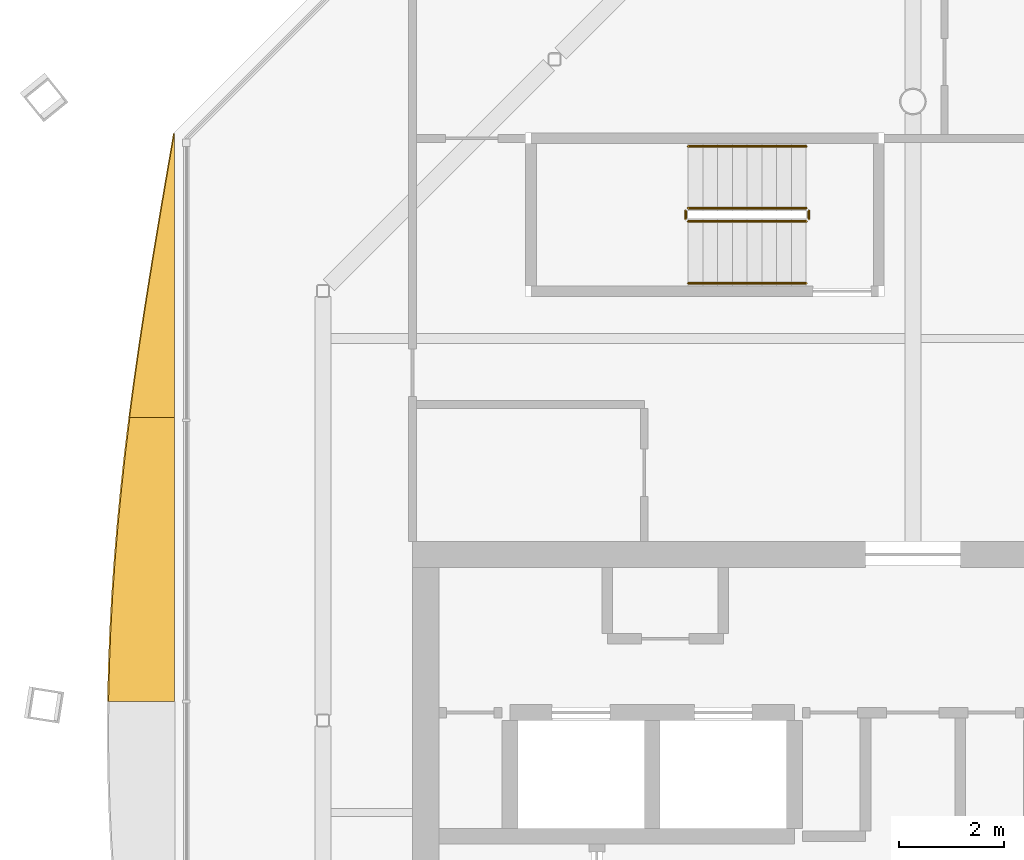
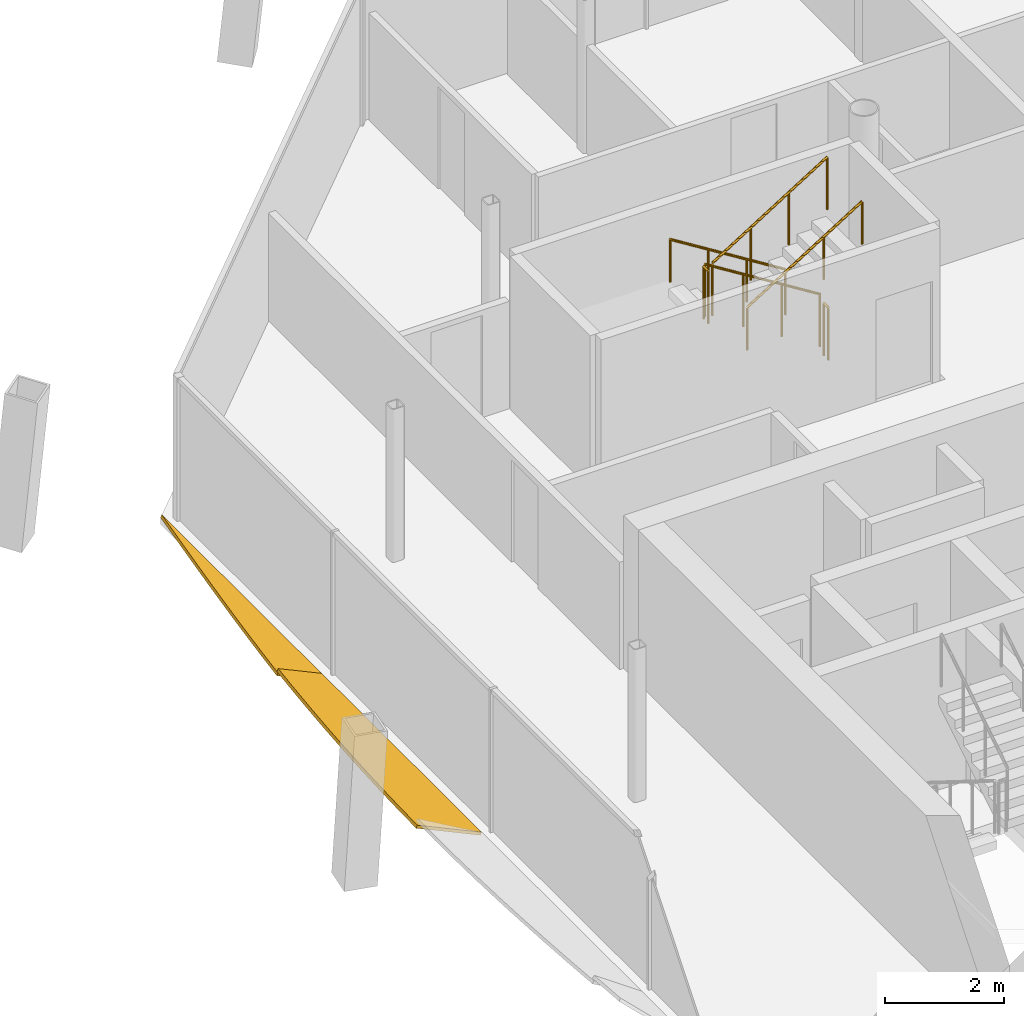
# One storey, part 15 of 16: 6 railings, 2 shading devices.
"""IFC4 building model written with IfcOpenShell, lengths in metres."""

from ifc_helpers import new_model, si_unit, direction, frame, origin, origin_2d, place, context, subcontext, project, spatial, polyline, circle, outline, extrude, material, layer, layer_set, type_object, element, save


model = new_model("IFC4")

# Units and contexts
model_context = context("Model", 3, precision=1e-05, world=origin(), true_north=direction((0.0, 1.0)))
body_context = subcontext(model_context, "Body", "Model", "MODEL_VIEW")
ifc_project = project(units=[si_unit("LENGTHUNIT", "METRE"), si_unit("AREAUNIT", "SQUARE_METRE"), si_unit("VOLUMEUNIT", "CUBIC_METRE"), si_unit("PLANEANGLEUNIT", "RADIAN"), si_unit("MASSUNIT", "GRAM", prefix="KILO")], contexts=[model_context])

# Site, building, storey
site_placement = place(None, origin())
site = spatial("IfcSite", under=ifc_project, at=site_placement, CompositionType="ELEMENT")
building_placement = place(site_placement, origin())
building = spatial("IfcBuilding", under=site, at=building_placement, Name="Tskaro Facet Tower", CompositionType="ELEMENT")
storey_placement = place(building_placement, frame((0.0, 0.0, 265.800048828125)))
storey = spatial("IfcBuildingStorey", under=building, at=storey_placement, Name="L70", CompositionType="ELEMENT", Elevation=265.800048828125)

# Shading devices
ifc_material_1 = material(Name="Bronze anodised aluminium 6063-T6", Category="aluminium")
ifc_layer = layer(ifc_material_1, 0.06005859375, Name="Bronze anodised aluminium 6063-T6")
ifc_layer_set = layer_set([ifc_layer], Name="Bronze anodised aluminium 6063-T6")
shading_device_type = type_object("IfcShadingDeviceType", Name="Bronze sun blade (FN1)", PredefinedType="USERDEFINED", material=ifc_layer_set)
shading_device_1_placement = place(storey_placement, frame((-14.0224609375, 8.39111328125, 0.056396484375), z_axis=(0.341981457809, -1.1142758e-05, 0.939706700195), x_axis=(-3.810617e-06, -0.999999999938, -1.0470924e-05)))
element("IfcShadingDevice", 1, at=shading_device_1_placement, inside=storey, type_object=shading_device_type, Name="Fin blade west 1", ObjectType="FIN", PredefinedType="USERDEFINED", context=body_context, shape_type="SweptSolid", body=[
    extrude(outline(polyline([(0.0, 0.0), (5.3913574215403015, -2.2833286833760638e-21), (5.391357422232141, -0.9025404393008304), (4.717529296772813, -0.8074681282207511), (4.043457031133472, -0.705366545781997), (3.3696289051726325, -0.5973203574427399), (2.695800781056291, -0.48401782494632917), (2.0217285151419606, -0.36685652589890644), (1.347900390540262, -0.24629530146270445), (0.6740722661650871, -0.12364823767701165), (0.0, 0.0)])), origin(), (0.0, 0.0, -1.0), 0.06005859375),
])
shading_device_2_placement = place(storey_placement, frame((-14.017578125, 2.999755859375, 0.054443359375), z_axis=(0.422517876087, 7.223958e-06, 0.906354590839), x_axis=(3.052251e-06, -0.999999999974, 6.547467e-06)))
element("IfcShadingDevice", 2, at=shading_device_2_placement, inside=storey, type_object=shading_device_type, Name="Fin blade west 2", ObjectType="FIN", PredefinedType="USERDEFINED", context=body_context, shape_type="SweptSolid", body=[
    extrude(outline(polyline([(0.0, 0.0), (5.391357421734324, 0.0), (5.3913574216255435, -1.3810297146549206), (4.7172851564996545, -1.363552032846081), (4.043457031326203, -1.3347176004663952), (3.369628906225373, -1.294305139539578), (2.6955566414254952, -1.2426390818202584), (2.0217285151958437, -1.1806045392135756), (1.347900390853608, -1.1081865412999334), (0.6738281240479023, -1.026491477960756), (-7.742808547463874e-10, -0.9357256567527314), (0.0, 0.0)])), origin(), (0.0, 0.0, -1.0), 0.06005859375),
])

# Railings
ifc_material_2 = material(Name="Stainless steel", Category="steel")
railing_type_1 = type_object("IfcRailingType", Name="RL-GUARD-1100", PredefinedType="GUARDRAIL", material=ifc_material_2)
railing_1_placement = place(storey_placement, frame((-2.02490234375, 6.97509765625, 0.175048828125)))
element("IfcRailing", 3, at=railing_1_placement, inside=storey, type_object=railing_type_1, Name="L70 ST-3 stair guard 1", PredefinedType="GUARDRAIL", context=body_context, shape_type="SweptSolid", body=[
    extrude(circle(Radius=0.02392578125, at=origin_2d()), frame((0.0, 0.0, 1.076171875), z_axis=(-0.848013881152, 0.0, 0.529974015752), x_axis=(0.0, -1.0, 0.0)), (0.0, 0.0, 1.0), 2.641357421875),
    extrude(circle(Radius=0.02099609375, at=origin_2d()), origin(), (0.0, 0.0, 1.0), 1.052001953125),
    extrude(circle(Radius=0.02099609375, at=origin_2d()), frame((-0.74658203125, 0.0, 0.466552734375)), (0.0, 0.0, 1.0), 1.052001953125),
    extrude(circle(Radius=0.02099609375, at=origin_2d()), frame((-1.493408203125, 0.0, 0.933349609375)), (0.0, 0.0, 1.0), 1.052001953125),
    extrude(circle(Radius=0.02099609375, at=origin_2d()), frame((-2.239990234375, 0.0, 1.39990234375)), (0.0, 0.0, 1.0), 1.052001953125),
])
railing_2_placement = place(storey_placement, frame((-4.31494140625, 6.925048828125, 1.574951171875)))
element("IfcRailing", 4, at=railing_2_placement, inside=storey, type_object=railing_type_1, Name="L70 ST-3 stair guard 2", PredefinedType="GUARDRAIL", context=body_context, shape_type="SweptSolid", body=[
    extrude(circle(Radius=0.02392578125, at=origin_2d()), frame((0.0, 0.0, 1.076171875), z_axis=(0.0, -1.0, 0.0), x_axis=(1.0, 0.0, 0.0)), (0.0, 0.0, 1.0), 0.150146484375),
    extrude(circle(Radius=0.02099609375, at=origin_2d()), origin(), (0.0, 0.0, 1.0), 1.052001953125),
    extrude(circle(Radius=0.02099609375, at=origin_2d()), frame((0.0, -0.150146484375, 0.0)), (0.0, 0.0, 1.0), 1.052001953125),
])
railing_3_placement = place(storey_placement, frame((-4.264892578125, 6.72509765625, 1.75)))
element("IfcRailing", 5, at=railing_3_placement, inside=storey, type_object=railing_type_1, Name="L70 ST-3 stair guard 3", PredefinedType="GUARDRAIL", context=body_context, shape_type="SweptSolid", body=[
    extrude(circle(Radius=0.02392578125, at=origin_2d()), frame((0.0, 0.0, 1.076171875), z_axis=(0.848013881152, 0.0, 0.529974015752), x_axis=(0.0, 1.0, 0.0)), (0.0, 0.0, 1.0), 2.641357421875),
    extrude(circle(Radius=0.02099609375, at=origin_2d()), origin(), (0.0, 0.0, 1.0), 1.052001953125),
    extrude(circle(Radius=0.02099609375, at=origin_2d()), frame((0.74658203125, 0.0, 0.466552734375)), (0.0, 0.0, 1.0), 1.052001953125),
    extrude(circle(Radius=0.02099609375, at=origin_2d()), frame((1.493408203125, 0.0, 0.933349609375)), (0.0, 0.0, 1.0), 1.052001953125),
    extrude(circle(Radius=0.02099609375, at=origin_2d()), frame((2.239990234375, 0.0, 1.39990234375)), (0.0, 0.0, 1.0), 1.052001953125),
])
railing_4_placement = place(storey_placement, frame((-1.97509765625, 6.925048828125, 0.0)))
element("IfcRailing", 6, at=railing_4_placement, inside=storey, type_object=railing_type_1, Name="L70 ST-3 stair guard 4", PredefinedType="GUARDRAIL", context=body_context, shape_type="SweptSolid", body=[
    extrude(circle(Radius=0.02392578125, at=origin_2d()), frame((0.0, 0.0, 1.076171875), z_axis=(0.0, -1.0, 0.0), x_axis=(1.0, 0.0, 0.0)), (0.0, 0.0, 1.0), 0.150146484375),
    extrude(circle(Radius=0.02099609375, at=origin_2d()), origin(), (0.0, 0.0, 1.0), 1.052001953125),
    extrude(circle(Radius=0.02099609375, at=origin_2d()), frame((0.0, -0.150146484375, 0.0)), (0.0, 0.0, 1.0), 1.052001953125),
])
railing_type_2 = type_object("IfcRailingType", Name="RL-HANDRAIL-900", PredefinedType="HANDRAIL", material=ifc_material_2)
railing_5_placement = place(storey_placement, frame((-2.02490234375, 8.14990234375, 0.175048828125)))
element("IfcRailing", 7, at=railing_5_placement, inside=storey, type_object=railing_type_2, Name="L70 ST-3 stair handrail 1", PredefinedType="HANDRAIL", context=body_context, shape_type="SweptSolid", body=[
    extrude(circle(Radius=0.02392578125, at=origin_2d()), frame((0.0, 0.0, 0.8759765625), z_axis=(-0.848013881152, 0.0, 0.529974015752), x_axis=(0.0, -1.0, 0.0)), (0.0, 0.0, 1.0), 2.641357421875),
    extrude(circle(Radius=0.02099609375, at=origin_2d()), origin(), (0.0, 0.0, 1.0), 0.851806640625),
    extrude(circle(Radius=0.02099609375, at=origin_2d()), frame((-0.74658203125, 0.0, 0.466552734375)), (0.0, 0.0, 1.0), 0.851806640625),
    extrude(circle(Radius=0.02099609375, at=origin_2d()), frame((-1.493408203125, 0.0, 0.933349609375)), (0.0, 0.0, 1.0), 0.851806640625),
    extrude(circle(Radius=0.02099609375, at=origin_2d()), frame((-2.239990234375, 0.0, 1.39990234375)), (0.0, 0.0, 1.0), 0.851806640625),
])
railing_6_placement = place(storey_placement, frame((-4.264892578125, 5.550048828125, 1.75)))
element("IfcRailing", 8, at=railing_6_placement, inside=storey, type_object=railing_type_2, Name="L70 ST-3 stair handrail 2", PredefinedType="HANDRAIL", context=body_context, shape_type="SweptSolid", body=[
    extrude(circle(Radius=0.02392578125, at=origin_2d()), frame((0.0, 0.0, 0.8759765625), z_axis=(0.848013881152, 0.0, 0.529974015752), x_axis=(0.0, 1.0, 0.0)), (0.0, 0.0, 1.0), 2.641357421875),
    extrude(circle(Radius=0.02099609375, at=origin_2d()), origin(), (0.0, 0.0, 1.0), 0.851806640625),
    extrude(circle(Radius=0.02099609375, at=origin_2d()), frame((0.74658203125, 0.0, 0.466552734375)), (0.0, 0.0, 1.0), 0.851806640625),
    extrude(circle(Radius=0.02099609375, at=origin_2d()), frame((1.493408203125, 0.0, 0.933349609375)), (0.0, 0.0, 1.0), 0.851806640625),
    extrude(circle(Radius=0.02099609375, at=origin_2d()), frame((2.239990234375, 0.0, 1.39990234375)), (0.0, 0.0, 1.0), 0.851806640625),
])

save(model, "model.ifc")
